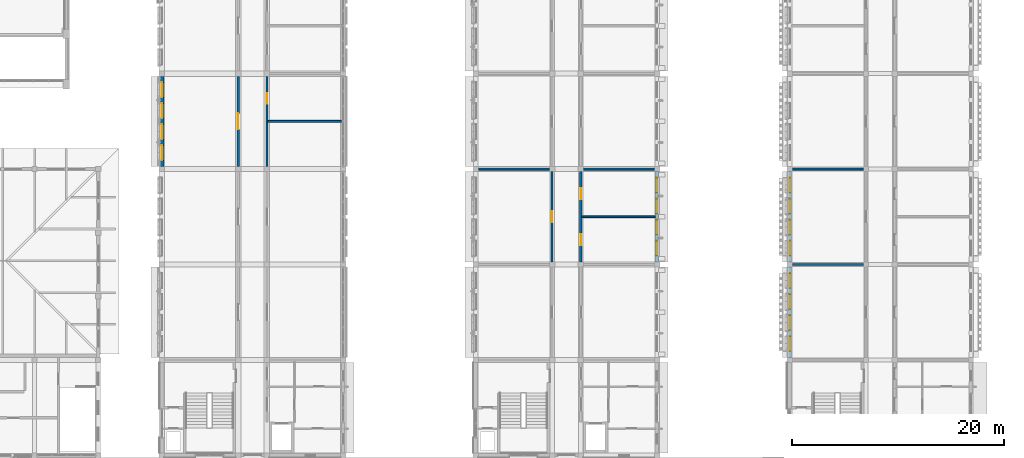
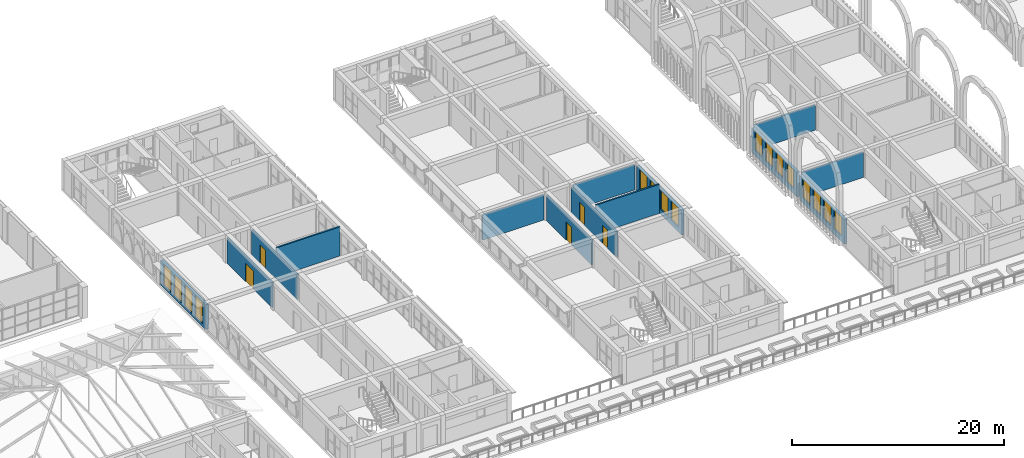
# One storey, part 48 of 82: 16 windows, 14 walls, 5 doors, 21 openings.
"""IFC4 building model written with IfcOpenShell, lengths in metres."""

import ifcopenshell
import ifcopenshell.guid

model = None  # the IFC model being written
_history = None  # IfcOwnerHistory: only IFC2X3 demands one
_inside = {}  # id of a spatial element -> (the spatial element, [elements in it])
_under = {}  # id of a project, library or spatial element -> (it, [spatial elements below it])
_declared = {}  # id of a project -> (the project, [libraries it declares])
_typed = {}  # id of a type object -> (the type object, [elements of that type])
_made_of = {}  # id of a material, layer set ... -> (it, [elements and type objects made of it])


def new_model(schema):
    """Start an empty IFC model of exactly this schema.

    Asked for "IFC4X3", IfcOpenShell would pick the latest addendum, in which some entities
    have other attributes; the version numbers below select the first issue.
    IFC2X3 requires an IfcOwnerHistory on every rooted entity: one is made here for all.
    """
    global model, _history
    if schema == "IFC4X3":
        model = ifcopenshell.file(schema_version=(4, 3, 0, 0))
    else:
        model = ifcopenshell.file(schema=schema)
    _inside.clear()
    _under.clear()
    _declared.clear()
    _typed.clear()
    _made_of.clear()
    _history = None
    if model.schema == "IFC2X3":
        org = make("IfcOrganization", Name="unknown")
        user = make(
            "IfcPersonAndOrganization",
            ThePerson=make("IfcPerson", FamilyName="unknown"),
            TheOrganization=org,
        )
        app = make(
            "IfcApplication",
            ApplicationDeveloper=org,
            Version="unknown",
            ApplicationFullName="unknown",
            ApplicationIdentifier="unknown",
        )
        _history = make(
            "IfcOwnerHistory",
            OwningUser=user,
            OwningApplication=app,
            ChangeAction="ADDED",
            CreationDate=0,
        )
    return model


def make(cls, **values):
    """One entity of the class cls with the attributes given. An attribute that is None is left unset."""
    return model.create_entity(
        cls, **{name: value for name, value in values.items() if value is not None}
    )


def rooted(cls, **values):
    """An entity with a GlobalId (a new one), such as an element, a storey or a relation."""
    return make(cls, GlobalId=ifcopenshell.guid.new(), OwnerHistory=_history, **values)


def si_unit(unit_type, name, prefix=None):
    """IfcSIUnit, for example si_unit("LENGTHUNIT", "METRE", prefix="MILLI")."""
    return make("IfcSIUnit", UnitType=unit_type, Prefix=prefix, Name=name)


def assignment(units):
    """IfcUnitAssignment: the units of a project."""
    return None if units is None else make("IfcUnitAssignment", Units=units)


def point(xyz):
    """IfcCartesianPoint."""
    return None if xyz is None else make("IfcCartesianPoint", Coordinates=xyz)


def direction(xyz):
    """IfcDirection."""
    return None if xyz is None else make("IfcDirection", DirectionRatios=xyz)


def frame(location, z_axis=None, x_axis=None):
    """IfcAxis2Placement3D, a coordinate frame: its origin and axes. An axis left out is left unset."""
    return make(
        "IfcAxis2Placement3D",
        Location=point(location),
        Axis=direction(z_axis),
        RefDirection=direction(x_axis),
    )


def frame_2d(location, x_axis=None):
    """IfcAxis2Placement2D, a coordinate frame in the plane: its origin and x axis."""
    return make(
        "IfcAxis2Placement2D", Location=point(location), RefDirection=direction(x_axis)
    )


def origin():
    """The frame at (0, 0, 0) with its axes left unset."""
    return frame((0.0, 0.0, 0.0))


def place(relative_to, where):
    """IfcLocalPlacement: puts the frame where relative to a parent placement (None: the world)."""
    return make(
        "IfcLocalPlacement", PlacementRelTo=relative_to, RelativePlacement=where
    )


def context(
    kind, dimensions, precision=None, world=None, true_north=None, identifier=None
):
    """IfcGeometricRepresentationContext, for example the 3D "Model" context."""
    return make(
        "IfcGeometricRepresentationContext",
        ContextIdentifier=identifier,
        ContextType=kind,
        CoordinateSpaceDimension=dimensions,
        Precision=precision,
        WorldCoordinateSystem=world,
        TrueNorth=true_north,
    )


def subcontext(parent, identifier, kind, view, scale=None):
    """IfcGeometricRepresentationSubContext, for example "Body" below "Model"."""
    return make(
        "IfcGeometricRepresentationSubContext",
        ContextIdentifier=identifier,
        ContextType=kind,
        ParentContext=parent,
        TargetScale=scale,
        TargetView=view,
    )


def project(units=None, contexts=None):
    """IfcProject with its units and contexts."""
    return rooted(
        "IfcProject",
        Name="project",
        RepresentationContexts=contexts,
        UnitsInContext=assignment(units),
    )


def spatial(cls, under=None, at=None, **own):
    """A site, building, storey or space (cls), placed at a placement, below another one or the project."""
    s = rooted(cls, ObjectPlacement=at, **own)
    if under is not None:
        _under.setdefault(under.id(), (under, []))[1].append(s)
    return s


def profile(cls, at=None, kind="AREA", **sizes):
    """A parametric profile (cls). Its sizes go by their IFC names, for example OverallWidth=200.0."""
    return make(cls, ProfileType=kind, Position=at, **sizes)


def rectangle(**sizes):
    """IfcRectangleProfileDef."""
    return profile("IfcRectangleProfileDef", **sizes)


def extrude(swept, where, along, depth):
    """IfcExtrudedAreaSolid: the profile swept, set in the frame where, extruded along a direction by depth."""
    return make(
        "IfcExtrudedAreaSolid",
        SweptArea=swept,
        Position=where,
        ExtrudedDirection=direction(along),
        Depth=depth,
    )


def shape(context_of_items, identifier, shape_type, items):
    """IfcShapeRepresentation: the items that make up one representation, for example the "Body"."""
    return make(
        "IfcShapeRepresentation",
        ContextOfItems=context_of_items,
        RepresentationIdentifier=identifier,
        RepresentationType=shape_type,
        Items=items,
    )


def material(Name=None, Category=None):
    """IfcMaterial."""
    return make("IfcMaterial", Name=Name, Category=Category)


def layer(
    of_material, thickness, ventilated=None, Name=None, Category=None, Priority=None
):
    """IfcMaterialLayer: one layer of a wall or slab, of a material (None: an air gap)."""
    return make(
        "IfcMaterialLayer",
        Material=of_material,
        LayerThickness=thickness,
        IsVentilated=ventilated,
        Name=Name,
        Category=Category,
        Priority=Priority,
    )


def layer_set(layers, Name=None):
    """IfcMaterialLayerSet."""
    return make("IfcMaterialLayerSet", MaterialLayers=layers, LayerSetName=Name)


def made_of(thing, what):
    """Note that an element or type object is made of a material, layer set ...; save() writes the relation."""
    if what is not None:
        _made_of.setdefault(what.id(), (what, []))[1].append(thing)
    return thing


def type_object(cls, material=None, **own):
    """A type object (cls), such as IfcWallType, which elements share."""
    return made_of(rooted(cls, **own), material)


def element(
    cls,
    number,
    at=None,
    inside=None,
    cuts=None,
    type_object=None,
    material=None,
    context=None,
    identifier="Body",
    shape_type=None,
    held_by="IfcProductDefinitionShape",
    body=None,
    shapes=None,
    **own,
):
    """One element of the class cls, such as IfcWall. Its Tag is "e" and its number.

    at: its placement. inside: the storey or other place that contains it. cuts: it is an
    opening in that element (IfcRelVoidsElement). A single representation is given by context,
    identifier, shape_type and body (its items); several are given by shapes. held_by: the class
    of the entity that holds the representations. save() writes the other relations.
    """
    e = rooted(cls, Tag="e%d" % number, ObjectPlacement=at, **own)
    if body is not None:
        shapes = [shape(context, identifier, shape_type, body)]
    if shapes is not None:
        e.Representation = make(held_by, Representations=shapes)
    if inside is not None:
        _inside.setdefault(inside.id(), (inside, []))[1].append(e)
    if cuts is not None:
        rooted(
            "IfcRelVoidsElement", RelatingBuildingElement=cuts, RelatedOpeningElement=e
        )
    if type_object is not None:
        _typed.setdefault(type_object.id(), (type_object, []))[1].append(e)
    return made_of(e, material)


def fill(opening, filler):
    """IfcRelFillsElement: the door or window that sits in an opening."""
    return rooted(
        "IfcRelFillsElement",
        RelatingOpeningElement=opening,
        RelatedBuildingElement=filler,
    )


def aggregate(whole, parts):
    """IfcRelAggregates: a whole, such as a stair, and the parts it consists of."""
    return rooted("IfcRelAggregates", RelatingObject=whole, RelatedObjects=parts)


def save(model, path):
    """Write the relations noted so far, then the file.

    IfcRelAggregates (storeys below a building ...), IfcRelContainedInSpatialStructure (elements
    in a storey), IfcRelDefinesByType, IfcRelAssociatesMaterial and IfcRelDeclares: one each for
    every whole, place, type object, material and project.
    """
    for whole, parts in _under.values():
        aggregate(whole, parts)
    for where, things in _inside.values():
        rooted(
            "IfcRelContainedInSpatialStructure",
            RelatedElements=things,
            RelatingStructure=where,
        )
    for kind, things in _typed.values():
        rooted("IfcRelDefinesByType", RelatedObjects=things, RelatingType=kind)
    for what, things in _made_of.values():
        rooted("IfcRelAssociatesMaterial", RelatedObjects=things, RelatingMaterial=what)
    for by, libraries in _declared.values():
        rooted("IfcRelDeclares", RelatingContext=by, RelatedDefinitions=libraries)
    model.write(path)


model = new_model("IFC4")

# Units and contexts
model_context = context("Model", 3, precision=1e-05, world=origin(), true_north=direction((0.0, 1.0)))
body_context = subcontext(model_context, "Body", "Model", "MODEL_VIEW")
ifc_project = project(units=[si_unit("LENGTHUNIT", "METRE"), si_unit("AREAUNIT", "SQUARE_METRE"), si_unit("VOLUMEUNIT", "CUBIC_METRE"), si_unit("PLANEANGLEUNIT", "RADIAN"), si_unit("MASSUNIT", "GRAM", prefix="KILO")], contexts=[model_context])

# Site, building, storey
site_placement = place(None, origin())
site = spatial("IfcSite", under=ifc_project, at=site_placement, CompositionType="ELEMENT")
building_placement = place(site_placement, origin())
building = spatial("IfcBuilding", under=site, at=building_placement, Name="Elbe Cascade School", CompositionType="ELEMENT")
storey_placement = place(building_placement, frame((0.0, 0.0, 4.5)))
storey = spatial("IfcBuildingStorey", under=building, at=storey_placement, Name="L01", CompositionType="ELEMENT", Elevation=4.5)

# Walls
ifc_material_1 = material(Name="Masonry - lime-sand block, plastered", Category="masonry")
ifc_layer_1 = layer(ifc_material_1, 0.175048828125)
ifc_layer_set_1 = layer_set([ifc_layer_1], Name="Masonry - lime-sand block, plastered")
wall_type_1 = type_object("IfcWallType", Name="Bar classroom partition wall lime-sand block 175", PredefinedType="PARTITIONING", material=ifc_layer_set_1)
wall_1_placement = place(storey_placement, frame((79.0, 37.5, 0.0), z_axis=(0.0, 0.0, 1.0), x_axis=(1.0, 0.0, 0.0)))
element("IfcWall", 1, at=wall_1_placement, inside=storey, type_object=wall_type_1, Name="Bar classroom partition wall lime-sand block 175", PredefinedType="PARTITIONING", context=body_context, shape_type="SweptSolid", body=[
    extrude(rectangle(XDim=6.919921875, YDim=0.175048828125, at=frame_2d((3.4599609375, 0.0))), origin(), (0.0, 0.0, 1.0), 3.35009765625),
])
wall_2_placement = place(storey_placement, frame((98.85009765625, 33.0, 0.0), z_axis=(0.0, 0.0, 1.0), x_axis=(1.0, 0.0, 0.0)))
element("IfcWall", 2, at=wall_2_placement, inside=storey, type_object=wall_type_1, Name="Bar classroom partition wall lime-sand block 175", PredefinedType="PARTITIONING", context=body_context, shape_type="SweptSolid", body=[
    extrude(rectangle(XDim=6.699951171875, YDim=0.175048828125, at=frame_2d((3.35009765625, 0.0))), origin(), (0.0, 0.0, 1.0), 2.89990234375),
])
wall_3_placement = place(storey_placement, frame((108.60009765625, 28.5, 0.0), z_axis=(0.0, 0.0, 1.0), x_axis=(1.0, 0.0, 0.0)))
element("IfcWall", 3, at=wall_3_placement, inside=storey, type_object=wall_type_1, Name="Bar classroom partition wall lime-sand block 175", PredefinedType="PARTITIONING", context=body_context, shape_type="SweptSolid", body=[
    extrude(rectangle(XDim=6.919921875, YDim=0.175048828125, at=frame_2d((3.4599609375, 0.0))), origin(), (0.0, 0.0, 1.0), 3.35009765625),
])
for number, where, z_axis, x_axis, name in (
    (4, (108.75, 33.0, 0.0), (0.0, 0.0, 1.0), (1.0, 0.0, 0.0), "Bar classroom partition wall lime-sand block 175"),
    (5, (128.449951171875, 24.0, 0.0), (0.0, 0.0, 1.0), (1.0, 0.0, 0.0), "Bar classroom partition wall lime-sand block 175"),
    (6, (128.449951171875, 33.0, 0.0), (0.0, 0.0, 1.0), (1.0, 0.0, 0.0), "Bar classroom partition wall lime-sand block 175"),
):
    element("IfcWall", number, at=place(storey_placement, frame(where, z_axis=z_axis, x_axis=x_axis)), inside=storey, type_object=wall_type_1, Name=name, PredefinedType="PARTITIONING", context=body_context, shape_type="SweptSolid", body=[
        extrude(rectangle(XDim=6.699951171875, YDim=0.175048828125, at=frame_2d((3.35009765625, 0.0))), origin(), (0.0, 0.0, 1.0), 2.89990234375),
    ])

# Wall, opening, door
ifc_material_2 = material(Name="Masonry - lime-sand block, plastered", Category="masonry")
ifc_layer_2 = layer(ifc_material_2, 0.199951171875)
ifc_layer_set_2 = layer_set([ifc_layer_2], Name="Masonry - lime-sand block, plastered")
wall_type_2 = type_object("IfcWallType", Name="Bar corridor wall lime-sand block 200 EI 30", PredefinedType="PARTITIONING", material=ifc_layer_set_2)
wall_4_placement = place(storey_placement, frame((76.199951171875, 33.25, 0.0), z_axis=(0.0, 0.0, 1.0), x_axis=(0.0, 1.0, 0.0)))
wall_4 = element("IfcWall", 7, at=wall_4_placement, inside=storey, type_object=wall_type_2, Name="Bar corridor wall lime-sand block 200 EI 30", PredefinedType="PARTITIONING", context=body_context, shape_type="SweptSolid", body=[
    extrude(rectangle(XDim=8.5, YDim=0.199951171875, at=frame_2d((4.25, 0.0))), origin(), (0.0, 0.0, 1.0), 2.89990234375),
])
opening_1_placement = place(wall_4_placement, frame((3.5, 0.0, 0.0)))
opening_1 = element("IfcOpeningElement", 8, at=opening_1_placement, cuts=wall_4, Name="Opening D1.015", PredefinedType="OPENING", context=body_context, shape_type="SweptSolid", body=[
    extrude(rectangle(XDim=1.5, YDim=2.10009765625, at=frame_2d((0.75, 1.050048828125))), frame((0.0, 0.10986328125, 0.0), z_axis=(0.0, -1.0, 0.0), x_axis=(1.0, 0.0, 0.0)), (0.0, 0.0, 1.0), 0.219970703125),
])
ifc_material_3 = material(Name="Timber door leaves, fire-resisting, steel frame", Category="steel")
door_type_1 = type_object("IfcDoorType", Name="Bar door FD30 1500x2100", OperationType="NOTDEFINED", PredefinedType="DOOR", material=ifc_material_3)
door_1_placement = place(opening_1_placement, origin())
door_1 = element("IfcDoor", 9, at=door_1_placement, inside=storey, type_object=door_type_1, Name="Door A1.20c", OperationType="DOUBLE_DOOR_SINGLE_SWING", OverallHeight=2.10009765625, OverallWidth=1.5, PredefinedType="DOOR", context=body_context, shape_type="SweptSolid", body=[
    extrude(rectangle(XDim=1.5, YDim=2.10009765625, at=frame_2d((0.75, 1.050048828125))), frame((0.0, 0.02490234375, 0.0), z_axis=(0.0, -1.0, 0.0), x_axis=(1.0, 0.0, 0.0)), (0.0, 0.0, 1.0), 0.050048828125),
])
fill(opening_1, door_1)

wall_5_placement = place(storey_placement, frame((78.89990234375, 41.75, 0.0), z_axis=(0.0, 0.0, 1.0), x_axis=(0.0, -1.0, 0.0)))
wall_5 = element("IfcWall", 10, at=wall_5_placement, inside=storey, type_object=wall_type_2, Name="Bar corridor wall lime-sand block 200 EI 30", PredefinedType="PARTITIONING", context=body_context, shape_type="SweptSolid", body=[
    extrude(rectangle(XDim=8.5, YDim=0.199951171875, at=frame_2d((4.25, 0.0))), origin(), (0.0, 0.0, 1.0), 2.89990234375),
])
opening_2_placement = place(wall_5_placement, frame((1.581298828125, 0.0, 0.0)))
opening_2 = element("IfcOpeningElement", 11, at=opening_2_placement, cuts=wall_5, Name="Opening D1.016", PredefinedType="OPENING", context=body_context, shape_type="SweptSolid", body=[
    extrude(rectangle(XDim=1.0, YDim=2.10009765625, at=frame_2d((0.5, 1.050048828125))), frame((0.0, 0.10986328125, 0.0), z_axis=(0.0, -1.0, 0.0), x_axis=(1.0, 0.0, 0.0)), (0.0, 0.0, 1.0), 0.219970703125),
])
ifc_material_4 = material(Name="Timber door leaf, fire-resisting, steel frame", Category="steel")
door_type_2 = type_object("IfcDoorType", Name="Bar door FD30 1000x2100", OperationType="NOTDEFINED", PredefinedType="DOOR", material=ifc_material_4)
door_2_placement = place(opening_2_placement, origin())
door_2 = element("IfcDoor", 12, at=door_2_placement, inside=storey, type_object=door_type_2, Name="Door A1.22", OperationType="SINGLE_SWING_LEFT", OverallHeight=2.10009765625, OverallWidth=1.0, PredefinedType="DOOR", context=body_context, shape_type="SweptSolid", body=[
    extrude(rectangle(XDim=1.0, YDim=2.10009765625, at=frame_2d((0.5, 1.050048828125))), frame((0.0, 0.02490234375, 0.0), z_axis=(0.0, -1.0, 0.0), x_axis=(1.0, 0.0, 0.0)), (0.0, 0.0, 1.0), 0.050048828125),
])
fill(opening_2, door_2)

wall_6_placement = place(storey_placement, frame((105.800048828125, 24.25, 0.0), z_axis=(0.0, 0.0, 1.0), x_axis=(0.0, 1.0, 0.0)))
wall_6 = element("IfcWall", 13, at=wall_6_placement, inside=storey, type_object=wall_type_2, Name="Bar corridor wall lime-sand block 200 EI 30", PredefinedType="PARTITIONING", context=body_context, shape_type="SweptSolid", body=[
    extrude(rectangle(XDim=8.5, YDim=0.199951171875, at=frame_2d((4.25, 0.0))), origin(), (0.0, 0.0, 1.0), 2.89990234375),
])
opening_3_placement = place(wall_6_placement, frame((3.75, 0.0, 0.0)))
opening_3 = element("IfcOpeningElement", 14, at=opening_3_placement, cuts=wall_6, Name="Opening D1.042", PredefinedType="OPENING", context=body_context, shape_type="SweptSolid", body=[
    extrude(rectangle(XDim=1.0, YDim=2.10009765625, at=frame_2d((0.5, 1.050048828125))), frame((0.0, 0.10986328125, 0.0), z_axis=(0.0, -1.0, 0.0), x_axis=(1.0, 0.0, 0.0)), (0.0, 0.0, 1.0), 0.219970703125),
])
door_3_placement = place(opening_3_placement, origin())
door_3 = element("IfcDoor", 15, at=door_3_placement, inside=storey, type_object=door_type_2, Name="Door B1.20", OperationType="SINGLE_SWING_LEFT", OverallHeight=2.10009765625, OverallWidth=1.0, PredefinedType="DOOR", context=body_context, shape_type="SweptSolid", body=[
    extrude(rectangle(XDim=1.0, YDim=2.10009765625, at=frame_2d((0.5, 1.050048828125))), frame((0.0, 0.02490234375, 0.0), z_axis=(0.0, -1.0, 0.0), x_axis=(1.0, 0.0, 0.0)), (0.0, 0.0, 1.0), 0.050048828125),
])
fill(opening_3, door_3)

# Wall, openings, doors
wall_7_placement = place(storey_placement, frame((108.5, 32.75, 0.0), z_axis=(0.0, 0.0, 1.0), x_axis=(0.0, -1.0, 0.0)))
wall_7 = element("IfcWall", 16, at=wall_7_placement, inside=storey, type_object=wall_type_2, Name="Bar corridor wall lime-sand block 200 EI 30", PredefinedType="PARTITIONING", context=body_context, shape_type="SweptSolid", body=[
    extrude(rectangle(XDim=8.5, YDim=0.199951171875, at=frame_2d((4.25, 0.0))), origin(), (0.0, 0.0, 1.0), 2.89990234375),
])
opening_4_placement = place(wall_7_placement, frame((5.918701171875, 0.0, 0.0)))
opening_4 = element("IfcOpeningElement", 17, at=opening_4_placement, cuts=wall_7, Name="Opening D1.041", PredefinedType="OPENING", context=body_context, shape_type="SweptSolid", body=[
    extrude(rectangle(XDim=1.0, YDim=2.10009765625, at=frame_2d((0.5, 1.050048828125))), frame((0.0, 0.10986328125, 0.0), z_axis=(0.0, -1.0, 0.0), x_axis=(1.0, 0.0, 0.0)), (0.0, 0.0, 1.0), 0.219970703125),
])
opening_5_placement = place(wall_7_placement, frame((1.581298828125, 0.0, 0.0)))
opening_5 = element("IfcOpeningElement", 18, at=opening_5_placement, cuts=wall_7, Name="Opening D1.043", PredefinedType="OPENING", context=body_context, shape_type="SweptSolid", body=[
    extrude(rectangle(XDim=1.0, YDim=2.10009765625, at=frame_2d((0.5, 1.050048828125))), frame((0.0, 0.10986328125, 0.0), z_axis=(0.0, -1.0, 0.0), x_axis=(1.0, 0.0, 0.0)), (0.0, 0.0, 1.0), 0.219970703125),
])
door_4_placement = place(opening_4_placement, origin())
door_4 = element("IfcDoor", 19, at=door_4_placement, inside=storey, type_object=door_type_2, Name="Door B1.24", OperationType="SINGLE_SWING_LEFT", OverallHeight=2.10009765625, OverallWidth=1.0, PredefinedType="DOOR", context=body_context, shape_type="SweptSolid", body=[
    extrude(rectangle(XDim=1.0, YDim=2.10009765625, at=frame_2d((0.5, 1.050048828125))), frame((0.0, 0.02490234375, 0.0), z_axis=(0.0, -1.0, 0.0), x_axis=(1.0, 0.0, 0.0)), (0.0, 0.0, 1.0), 0.050048828125),
])
fill(opening_4, door_4)
door_5_placement = place(opening_5_placement, origin())
door_5 = element("IfcDoor", 20, at=door_5_placement, inside=storey, type_object=door_type_2, Name="Door B1.25", OperationType="SINGLE_SWING_RIGHT", OverallHeight=2.10009765625, OverallWidth=1.0, PredefinedType="DOOR", context=body_context, shape_type="SweptSolid", body=[
    extrude(rectangle(XDim=1.0, YDim=2.10009765625, at=frame_2d((0.5, 1.050048828125))), frame((0.0, 0.02490234375, 0.0), z_axis=(0.0, -1.0, 0.0), x_axis=(1.0, 0.0, 0.0)), (0.0, 0.0, 1.0), 0.050048828125),
])
fill(opening_5, door_5)

# Wall, openings, windows
ifc_material_5 = material(Name="Brick masonry - red clinker, cavity wall with render backing", Category="masonry")
ifc_layer_3 = layer(ifc_material_5, 0.300048828125)
ifc_layer_set_3 = layer_set([ifc_layer_3], Name="Brick masonry - red clinker, cavity wall with render backing")
wall_type_3 = type_object("IfcWallType", Name="Bars envelope External wall - clinker brick cavity, 300 upper floors", PredefinedType="STANDARD", material=ifc_layer_set_3)
wall_8_placement = place(storey_placement, frame((69.030029296875, 33.25, 0.0), z_axis=(0.0, 0.0, 1.0), x_axis=(0.0, 1.0, 0.0)))
wall_8 = element("IfcWall", 21, at=wall_8_placement, inside=storey, type_object=wall_type_3, Name="External wall W30 A.L01.w4", PredefinedType="STANDARD", context=body_context, shape_type="SweptSolid", body=[
    extrude(rectangle(XDim=8.5, YDim=0.300048828125, at=frame_2d((4.25, 0.0))), origin(), (0.0, 0.0, 1.0), 2.85009765625),
])
opening_6_placement = place(wall_8_placement, frame((0.580078125, 0.0, 0.300048828125)))
opening_6 = element("IfcOpeningElement", 22, at=opening_6_placement, cuts=wall_8, Name="Opening W1.012", PredefinedType="OPENING", context=body_context, shape_type="SweptSolid", body=[
    extrude(rectangle(XDim=1.39990234375, YDim=2.5, at=frame_2d((0.699951171875, 1.25))), frame((0.0, 0.159912109375, 0.0), z_axis=(0.0, -1.0, 0.0), x_axis=(1.0, 0.0, 0.0)), (0.0, 0.0, 1.0), 0.320068359375),
])
opening_7_placement = place(wall_8_placement, frame((2.56005859375, 0.0, 0.300048828125)))
opening_7 = element("IfcOpeningElement", 23, at=opening_7_placement, cuts=wall_8, Name="Opening W1.013", PredefinedType="OPENING", context=body_context, shape_type="SweptSolid", body=[
    extrude(rectangle(XDim=1.39990234375, YDim=2.5, at=frame_2d((0.699951171875, 1.25))), frame((0.0, 0.159912109375, 0.0), z_axis=(0.0, -1.0, 0.0), x_axis=(1.0, 0.0, 0.0)), (0.0, 0.0, 1.0), 0.320068359375),
])
opening_8_placement = place(wall_8_placement, frame((4.5400390625, 0.0, 0.300048828125)))
opening_8 = element("IfcOpeningElement", 24, at=opening_8_placement, cuts=wall_8, Name="Opening W1.014", PredefinedType="OPENING", context=body_context, shape_type="SweptSolid", body=[
    extrude(rectangle(XDim=1.39990234375, YDim=2.5, at=frame_2d((0.699951171875, 1.25))), frame((0.0, 0.159912109375, 0.0), z_axis=(0.0, -1.0, 0.0), x_axis=(1.0, 0.0, 0.0)), (0.0, 0.0, 1.0), 0.320068359375),
])
opening_9_placement = place(wall_8_placement, frame((6.52001953125, 0.0, 0.300048828125)))
opening_9 = element("IfcOpeningElement", 25, at=opening_9_placement, cuts=wall_8, Name="Opening W1.015", PredefinedType="OPENING", context=body_context, shape_type="SweptSolid", body=[
    extrude(rectangle(XDim=1.39990234375, YDim=2.5, at=frame_2d((0.699951171875, 1.25))), frame((0.0, 0.159912109375, 0.0), z_axis=(0.0, -1.0, 0.0), x_axis=(1.0, 0.0, 0.0)), (0.0, 0.0, 1.0), 0.320068359375),
])
ifc_material_6 = material(Name="Aluminium frame with double glazing, bronze anodised", Category="aluminium")
window_type_1 = type_object("IfcWindowType", Name="Bars envelope Window 1400 x 2500, library reading, tall, aluminium double glazed", PartitioningType="DOUBLE_PANEL_VERTICAL", PredefinedType="WINDOW", material=ifc_material_6)
window_1_placement = place(opening_6_placement, origin())
window_1 = element("IfcWindow", 26, at=window_1_placement, inside=storey, type_object=window_type_1, Name="Window WN5 A.L01.w4.1", OverallHeight=2.5, OverallWidth=1.39990234375, PartitioningType="DOUBLE_PANEL_VERTICAL", PredefinedType="WINDOW", context=body_context, shape_type="SweptSolid", body=[
    extrude(rectangle(XDim=1.39990234375, YDim=2.5, at=frame_2d((0.699951171875, 1.25))), frame((0.0, 0.030029296875, 0.0), z_axis=(0.0, -1.0, 0.0), x_axis=(1.0, 0.0, 0.0)), (0.0, 0.0, 1.0), 0.06005859375),
])
fill(opening_6, window_1)
window_2_placement = place(opening_7_placement, origin())
window_2 = element("IfcWindow", 27, at=window_2_placement, inside=storey, type_object=window_type_1, Name="Window WN5 A.L01.w4.2", OverallHeight=2.5, OverallWidth=1.39990234375, PartitioningType="DOUBLE_PANEL_VERTICAL", PredefinedType="WINDOW", context=body_context, shape_type="SweptSolid", body=[
    extrude(rectangle(XDim=1.39990234375, YDim=2.5, at=frame_2d((0.699951171875, 1.25))), frame((0.0, 0.030029296875, 0.0), z_axis=(0.0, -1.0, 0.0), x_axis=(1.0, 0.0, 0.0)), (0.0, 0.0, 1.0), 0.06005859375),
])
fill(opening_7, window_2)
window_3_placement = place(opening_8_placement, origin())
window_3 = element("IfcWindow", 28, at=window_3_placement, inside=storey, type_object=window_type_1, Name="Window WN5 A.L01.w4.3", OverallHeight=2.5, OverallWidth=1.39990234375, PartitioningType="DOUBLE_PANEL_VERTICAL", PredefinedType="WINDOW", context=body_context, shape_type="SweptSolid", body=[
    extrude(rectangle(XDim=1.39990234375, YDim=2.5, at=frame_2d((0.699951171875, 1.25))), frame((0.0, 0.030029296875, 0.0), z_axis=(0.0, -1.0, 0.0), x_axis=(1.0, 0.0, 0.0)), (0.0, 0.0, 1.0), 0.06005859375),
])
fill(opening_8, window_3)
window_4_placement = place(opening_9_placement, origin())
window_4 = element("IfcWindow", 29, at=window_4_placement, inside=storey, type_object=window_type_1, Name="Window WN5 A.L01.w4.4", OverallHeight=2.5, OverallWidth=1.39990234375, PartitioningType="DOUBLE_PANEL_VERTICAL", PredefinedType="WINDOW", context=body_context, shape_type="SweptSolid", body=[
    extrude(rectangle(XDim=1.39990234375, YDim=2.5, at=frame_2d((0.699951171875, 1.25))), frame((0.0, 0.030029296875, 0.0), z_axis=(0.0, -1.0, 0.0), x_axis=(1.0, 0.0, 0.0)), (0.0, 0.0, 1.0), 0.06005859375),
])
fill(opening_9, window_4)

wall_9_placement = place(storey_placement, frame((115.669921875, 32.75, 0.0), z_axis=(0.0, 0.0, 1.0), x_axis=(0.0, -1.0, 0.0)))
wall_9 = element("IfcWall", 30, at=wall_9_placement, inside=storey, type_object=wall_type_3, Name="External wall W30 B.L01.e3", PredefinedType="STANDARD", context=body_context, shape_type="SweptSolid", body=[
    extrude(rectangle(XDim=8.5, YDim=0.300048828125, at=frame_2d((4.25, 0.0))), origin(), (0.0, 0.0, 1.0), 2.85009765625),
])
opening_10_placement = place(wall_9_placement, frame((6.52001953125, 0.0, 0.60009765625)))
opening_10 = element("IfcOpeningElement", 31, at=opening_10_placement, cuts=wall_9, Name="Opening W1.035", PredefinedType="OPENING", context=body_context, shape_type="SweptSolid", body=[
    extrude(rectangle(XDim=1.39990234375, YDim=2.199951171875, at=frame_2d((0.699951171875, 1.10009765625))), frame((0.0, 0.159912109375, 0.0), z_axis=(0.0, -1.0, 0.0), x_axis=(1.0, 0.0, 0.0)), (0.0, 0.0, 1.0), 0.320068359375),
])
opening_11_placement = place(wall_9_placement, frame((4.5400390625, 0.0, 0.60009765625)))
opening_11 = element("IfcOpeningElement", 32, at=opening_11_placement, cuts=wall_9, Name="Opening W1.037", PredefinedType="OPENING", context=body_context, shape_type="SweptSolid", body=[
    extrude(rectangle(XDim=1.39990234375, YDim=2.199951171875, at=frame_2d((0.699951171875, 1.10009765625))), frame((0.0, 0.159912109375, 0.0), z_axis=(0.0, -1.0, 0.0), x_axis=(1.0, 0.0, 0.0)), (0.0, 0.0, 1.0), 0.320068359375),
])
opening_12_placement = place(wall_9_placement, frame((2.56005859375, 0.0, 0.60009765625)))
opening_12 = element("IfcOpeningElement", 33, at=opening_12_placement, cuts=wall_9, Name="Opening W1.039", PredefinedType="OPENING", context=body_context, shape_type="SweptSolid", body=[
    extrude(rectangle(XDim=1.39990234375, YDim=2.199951171875, at=frame_2d((0.699951171875, 1.10009765625))), frame((0.0, 0.159912109375, 0.0), z_axis=(0.0, -1.0, 0.0), x_axis=(1.0, 0.0, 0.0)), (0.0, 0.0, 1.0), 0.320068359375),
])
opening_13_placement = place(wall_9_placement, frame((0.580078125, 0.0, 0.60009765625)))
opening_13 = element("IfcOpeningElement", 34, at=opening_13_placement, cuts=wall_9, Name="Opening W1.041", PredefinedType="OPENING", context=body_context, shape_type="SweptSolid", body=[
    extrude(rectangle(XDim=1.39990234375, YDim=2.199951171875, at=frame_2d((0.699951171875, 1.10009765625))), frame((0.0, 0.159912109375, 0.0), z_axis=(0.0, -1.0, 0.0), x_axis=(1.0, 0.0, 0.0)), (0.0, 0.0, 1.0), 0.320068359375),
])
ifc_material_7 = material(Name="Aluminium frame with double glazing, bronze anodised", Category="aluminium")
window_type_2 = type_object("IfcWindowType", Name="Bars envelope Window 1400 x 2200, classroom, aluminium double glazed", PartitioningType="DOUBLE_PANEL_VERTICAL", PredefinedType="WINDOW", material=ifc_material_7)
window_5_placement = place(opening_10_placement, origin())
window_5 = element("IfcWindow", 35, at=window_5_placement, inside=storey, type_object=window_type_2, Name="Window WN7 B.L01.e3.1", OverallHeight=2.199951171875, OverallWidth=1.39990234375, PartitioningType="DOUBLE_PANEL_VERTICAL", PredefinedType="WINDOW", context=body_context, shape_type="SweptSolid", body=[
    extrude(rectangle(XDim=1.39990234375, YDim=2.199951171875, at=frame_2d((0.699951171875, 1.10009765625))), frame((0.0, 0.030029296875, 0.0), z_axis=(0.0, -1.0, 0.0), x_axis=(1.0, 0.0, 0.0)), (0.0, 0.0, 1.0), 0.06005859375),
])
fill(opening_10, window_5)
window_6_placement = place(opening_11_placement, origin())
window_6 = element("IfcWindow", 36, at=window_6_placement, inside=storey, type_object=window_type_2, Name="Window WN7 B.L01.e3.2", OverallHeight=2.199951171875, OverallWidth=1.39990234375, PartitioningType="DOUBLE_PANEL_VERTICAL", PredefinedType="WINDOW", context=body_context, shape_type="SweptSolid", body=[
    extrude(rectangle(XDim=1.39990234375, YDim=2.199951171875, at=frame_2d((0.699951171875, 1.10009765625))), frame((0.0, 0.030029296875, 0.0), z_axis=(0.0, -1.0, 0.0), x_axis=(1.0, 0.0, 0.0)), (0.0, 0.0, 1.0), 0.06005859375),
])
fill(opening_11, window_6)
window_7_placement = place(opening_12_placement, origin())
window_7 = element("IfcWindow", 37, at=window_7_placement, inside=storey, type_object=window_type_2, Name="Window WN7 B.L01.e3.3", OverallHeight=2.199951171875, OverallWidth=1.39990234375, PartitioningType="DOUBLE_PANEL_VERTICAL", PredefinedType="WINDOW", context=body_context, shape_type="SweptSolid", body=[
    extrude(rectangle(XDim=1.39990234375, YDim=2.199951171875, at=frame_2d((0.699951171875, 1.10009765625))), frame((0.0, 0.030029296875, 0.0), z_axis=(0.0, -1.0, 0.0), x_axis=(1.0, 0.0, 0.0)), (0.0, 0.0, 1.0), 0.06005859375),
])
fill(opening_12, window_7)
window_8_placement = place(opening_13_placement, origin())
window_8 = element("IfcWindow", 38, at=window_8_placement, inside=storey, type_object=window_type_2, Name="Window WN7 B.L01.e3.4", OverallHeight=2.199951171875, OverallWidth=1.39990234375, PartitioningType="DOUBLE_PANEL_VERTICAL", PredefinedType="WINDOW", context=body_context, shape_type="SweptSolid", body=[
    extrude(rectangle(XDim=1.39990234375, YDim=2.199951171875, at=frame_2d((0.699951171875, 1.10009765625))), frame((0.0, 0.030029296875, 0.0), z_axis=(0.0, -1.0, 0.0), x_axis=(1.0, 0.0, 0.0)), (0.0, 0.0, 1.0), 0.06005859375),
])
fill(opening_13, window_8)

wall_10_placement = place(storey_placement, frame((128.22998046875, 15.25, 0.0), z_axis=(0.0, 0.0, 1.0), x_axis=(0.0, 1.0, 0.0)))
wall_10 = element("IfcWall", 39, at=wall_10_placement, inside=storey, type_object=wall_type_3, Name="External wall W30 C.L01.w2", PredefinedType="STANDARD", context=body_context, shape_type="SweptSolid", body=[
    extrude(rectangle(XDim=8.5, YDim=0.300048828125, at=frame_2d((4.25, 0.0))), origin(), (0.0, 0.0, 1.0), 2.85009765625),
])
opening_14_placement = place(wall_10_placement, frame((0.580078125, 0.0, 0.60009765625)))
opening_14 = element("IfcOpeningElement", 40, at=opening_14_placement, cuts=wall_10, Name="Opening W1.066", PredefinedType="OPENING", context=body_context, shape_type="SweptSolid", body=[
    extrude(rectangle(XDim=1.39990234375, YDim=2.199951171875, at=frame_2d((0.699951171875, 1.10009765625))), frame((0.0, 0.159912109375, 0.0), z_axis=(0.0, -1.0, 0.0), x_axis=(1.0, 0.0, 0.0)), (0.0, 0.0, 1.0), 0.320068359375),
])
opening_15_placement = place(wall_10_placement, frame((2.56005859375, 0.0, 0.60009765625)))
opening_15 = element("IfcOpeningElement", 41, at=opening_15_placement, cuts=wall_10, Name="Opening W1.068", PredefinedType="OPENING", context=body_context, shape_type="SweptSolid", body=[
    extrude(rectangle(XDim=1.39990234375, YDim=2.199951171875, at=frame_2d((0.699951171875, 1.10009765625))), frame((0.0, 0.159912109375, 0.0), z_axis=(0.0, -1.0, 0.0), x_axis=(1.0, 0.0, 0.0)), (0.0, 0.0, 1.0), 0.320068359375),
])
opening_16_placement = place(wall_10_placement, frame((4.5400390625, 0.0, 0.60009765625)))
opening_16 = element("IfcOpeningElement", 42, at=opening_16_placement, cuts=wall_10, Name="Opening W1.070", PredefinedType="OPENING", context=body_context, shape_type="SweptSolid", body=[
    extrude(rectangle(XDim=1.39990234375, YDim=2.199951171875, at=frame_2d((0.699951171875, 1.10009765625))), frame((0.0, 0.159912109375, 0.0), z_axis=(0.0, -1.0, 0.0), x_axis=(1.0, 0.0, 0.0)), (0.0, 0.0, 1.0), 0.320068359375),
])
opening_17_placement = place(wall_10_placement, frame((6.52001953125, 0.0, 0.60009765625)))
opening_17 = element("IfcOpeningElement", 43, at=opening_17_placement, cuts=wall_10, Name="Opening W1.072", PredefinedType="OPENING", context=body_context, shape_type="SweptSolid", body=[
    extrude(rectangle(XDim=1.39990234375, YDim=2.199951171875, at=frame_2d((0.699951171875, 1.10009765625))), frame((0.0, 0.159912109375, 0.0), z_axis=(0.0, -1.0, 0.0), x_axis=(1.0, 0.0, 0.0)), (0.0, 0.0, 1.0), 0.320068359375),
])
window_9_placement = place(opening_14_placement, origin())
window_9 = element("IfcWindow", 44, at=window_9_placement, inside=storey, type_object=window_type_2, Name="Window WN7 C.L01.w2.1", OverallHeight=2.199951171875, OverallWidth=1.39990234375, PartitioningType="DOUBLE_PANEL_VERTICAL", PredefinedType="WINDOW", context=body_context, shape_type="SweptSolid", body=[
    extrude(rectangle(XDim=1.39990234375, YDim=2.199951171875, at=frame_2d((0.699951171875, 1.10009765625))), frame((0.0, 0.030029296875, 0.0), z_axis=(0.0, -1.0, 0.0), x_axis=(1.0, 0.0, 0.0)), (0.0, 0.0, 1.0), 0.06005859375),
])
fill(opening_14, window_9)
window_10_placement = place(opening_15_placement, origin())
window_10 = element("IfcWindow", 45, at=window_10_placement, inside=storey, type_object=window_type_2, Name="Window WN7 C.L01.w2.2", OverallHeight=2.199951171875, OverallWidth=1.39990234375, PartitioningType="DOUBLE_PANEL_VERTICAL", PredefinedType="WINDOW", context=body_context, shape_type="SweptSolid", body=[
    extrude(rectangle(XDim=1.39990234375, YDim=2.199951171875, at=frame_2d((0.699951171875, 1.10009765625))), frame((0.0, 0.030029296875, 0.0), z_axis=(0.0, -1.0, 0.0), x_axis=(1.0, 0.0, 0.0)), (0.0, 0.0, 1.0), 0.06005859375),
])
fill(opening_15, window_10)
window_11_placement = place(opening_16_placement, origin())
window_11 = element("IfcWindow", 46, at=window_11_placement, inside=storey, type_object=window_type_2, Name="Window WN7 C.L01.w2.3", OverallHeight=2.199951171875, OverallWidth=1.39990234375, PartitioningType="DOUBLE_PANEL_VERTICAL", PredefinedType="WINDOW", context=body_context, shape_type="SweptSolid", body=[
    extrude(rectangle(XDim=1.39990234375, YDim=2.199951171875, at=frame_2d((0.699951171875, 1.10009765625))), frame((0.0, 0.030029296875, 0.0), z_axis=(0.0, -1.0, 0.0), x_axis=(1.0, 0.0, 0.0)), (0.0, 0.0, 1.0), 0.06005859375),
])
fill(opening_16, window_11)
window_12_placement = place(opening_17_placement, origin())
window_12 = element("IfcWindow", 47, at=window_12_placement, inside=storey, type_object=window_type_2, Name="Window WN7 C.L01.w2.4", OverallHeight=2.199951171875, OverallWidth=1.39990234375, PartitioningType="DOUBLE_PANEL_VERTICAL", PredefinedType="WINDOW", context=body_context, shape_type="SweptSolid", body=[
    extrude(rectangle(XDim=1.39990234375, YDim=2.199951171875, at=frame_2d((0.699951171875, 1.10009765625))), frame((0.0, 0.030029296875, 0.0), z_axis=(0.0, -1.0, 0.0), x_axis=(1.0, 0.0, 0.0)), (0.0, 0.0, 1.0), 0.06005859375),
])
fill(opening_17, window_12)

wall_11_placement = place(storey_placement, frame((128.22998046875, 24.25, 0.0), z_axis=(0.0, 0.0, 1.0), x_axis=(0.0, 1.0, 0.0)))
wall_11 = element("IfcWall", 48, at=wall_11_placement, inside=storey, type_object=wall_type_3, Name="External wall W30 C.L01.w3", PredefinedType="STANDARD", context=body_context, shape_type="SweptSolid", body=[
    extrude(rectangle(XDim=8.5, YDim=0.300048828125, at=frame_2d((4.25, 0.0))), origin(), (0.0, 0.0, 1.0), 2.85009765625),
])
opening_18_placement = place(wall_11_placement, frame((0.580078125, 0.0, 0.60009765625)))
opening_18 = element("IfcOpeningElement", 49, at=opening_18_placement, cuts=wall_11, Name="Opening W1.074", PredefinedType="OPENING", context=body_context, shape_type="SweptSolid", body=[
    extrude(rectangle(XDim=1.39990234375, YDim=2.199951171875, at=frame_2d((0.699951171875, 1.10009765625))), frame((0.0, 0.159912109375, 0.0), z_axis=(0.0, -1.0, 0.0), x_axis=(1.0, 0.0, 0.0)), (0.0, 0.0, 1.0), 0.320068359375),
])
opening_19_placement = place(wall_11_placement, frame((2.56005859375, 0.0, 0.60009765625)))
opening_19 = element("IfcOpeningElement", 50, at=opening_19_placement, cuts=wall_11, Name="Opening W1.076", PredefinedType="OPENING", context=body_context, shape_type="SweptSolid", body=[
    extrude(rectangle(XDim=1.39990234375, YDim=2.199951171875, at=frame_2d((0.699951171875, 1.10009765625))), frame((0.0, 0.159912109375, 0.0), z_axis=(0.0, -1.0, 0.0), x_axis=(1.0, 0.0, 0.0)), (0.0, 0.0, 1.0), 0.320068359375),
])
opening_20_placement = place(wall_11_placement, frame((4.5400390625, 0.0, 0.60009765625)))
opening_20 = element("IfcOpeningElement", 51, at=opening_20_placement, cuts=wall_11, Name="Opening W1.078", PredefinedType="OPENING", context=body_context, shape_type="SweptSolid", body=[
    extrude(rectangle(XDim=1.39990234375, YDim=2.199951171875, at=frame_2d((0.699951171875, 1.10009765625))), frame((0.0, 0.159912109375, 0.0), z_axis=(0.0, -1.0, 0.0), x_axis=(1.0, 0.0, 0.0)), (0.0, 0.0, 1.0), 0.320068359375),
])
opening_21_placement = place(wall_11_placement, frame((6.52001953125, 0.0, 0.60009765625)))
opening_21 = element("IfcOpeningElement", 52, at=opening_21_placement, cuts=wall_11, Name="Opening W1.080", PredefinedType="OPENING", context=body_context, shape_type="SweptSolid", body=[
    extrude(rectangle(XDim=1.39990234375, YDim=2.199951171875, at=frame_2d((0.699951171875, 1.10009765625))), frame((0.0, 0.159912109375, 0.0), z_axis=(0.0, -1.0, 0.0), x_axis=(1.0, 0.0, 0.0)), (0.0, 0.0, 1.0), 0.320068359375),
])
window_13_placement = place(opening_18_placement, origin())
window_13 = element("IfcWindow", 53, at=window_13_placement, inside=storey, type_object=window_type_2, Name="Window WN7 C.L01.w3.1", OverallHeight=2.199951171875, OverallWidth=1.39990234375, PartitioningType="DOUBLE_PANEL_VERTICAL", PredefinedType="WINDOW", context=body_context, shape_type="SweptSolid", body=[
    extrude(rectangle(XDim=1.39990234375, YDim=2.199951171875, at=frame_2d((0.699951171875, 1.10009765625))), frame((0.0, 0.030029296875, 0.0), z_axis=(0.0, -1.0, 0.0), x_axis=(1.0, 0.0, 0.0)), (0.0, 0.0, 1.0), 0.06005859375),
])
fill(opening_18, window_13)
window_14_placement = place(opening_19_placement, origin())
window_14 = element("IfcWindow", 54, at=window_14_placement, inside=storey, type_object=window_type_2, Name="Window WN7 C.L01.w3.2", OverallHeight=2.199951171875, OverallWidth=1.39990234375, PartitioningType="DOUBLE_PANEL_VERTICAL", PredefinedType="WINDOW", context=body_context, shape_type="SweptSolid", body=[
    extrude(rectangle(XDim=1.39990234375, YDim=2.199951171875, at=frame_2d((0.699951171875, 1.10009765625))), frame((0.0, 0.030029296875, 0.0), z_axis=(0.0, -1.0, 0.0), x_axis=(1.0, 0.0, 0.0)), (0.0, 0.0, 1.0), 0.06005859375),
])
fill(opening_19, window_14)
window_15_placement = place(opening_20_placement, origin())
window_15 = element("IfcWindow", 55, at=window_15_placement, inside=storey, type_object=window_type_2, Name="Window WN7 C.L01.w3.3", OverallHeight=2.199951171875, OverallWidth=1.39990234375, PartitioningType="DOUBLE_PANEL_VERTICAL", PredefinedType="WINDOW", context=body_context, shape_type="SweptSolid", body=[
    extrude(rectangle(XDim=1.39990234375, YDim=2.199951171875, at=frame_2d((0.699951171875, 1.10009765625))), frame((0.0, 0.030029296875, 0.0), z_axis=(0.0, -1.0, 0.0), x_axis=(1.0, 0.0, 0.0)), (0.0, 0.0, 1.0), 0.06005859375),
])
fill(opening_20, window_15)
window_16_placement = place(opening_21_placement, origin())
window_16 = element("IfcWindow", 56, at=window_16_placement, inside=storey, type_object=window_type_2, Name="Window WN7 C.L01.w3.4", OverallHeight=2.199951171875, OverallWidth=1.39990234375, PartitioningType="DOUBLE_PANEL_VERTICAL", PredefinedType="WINDOW", context=body_context, shape_type="SweptSolid", body=[
    extrude(rectangle(XDim=1.39990234375, YDim=2.199951171875, at=frame_2d((0.699951171875, 1.10009765625))), frame((0.0, 0.030029296875, 0.0), z_axis=(0.0, -1.0, 0.0), x_axis=(1.0, 0.0, 0.0)), (0.0, 0.0, 1.0), 0.06005859375),
])
fill(opening_21, window_16)

save(model, "model.ifc")
